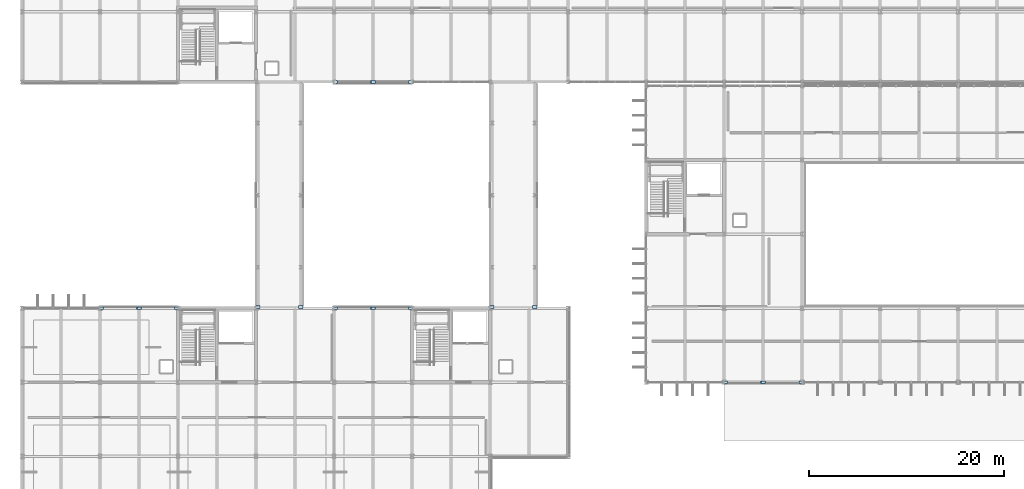
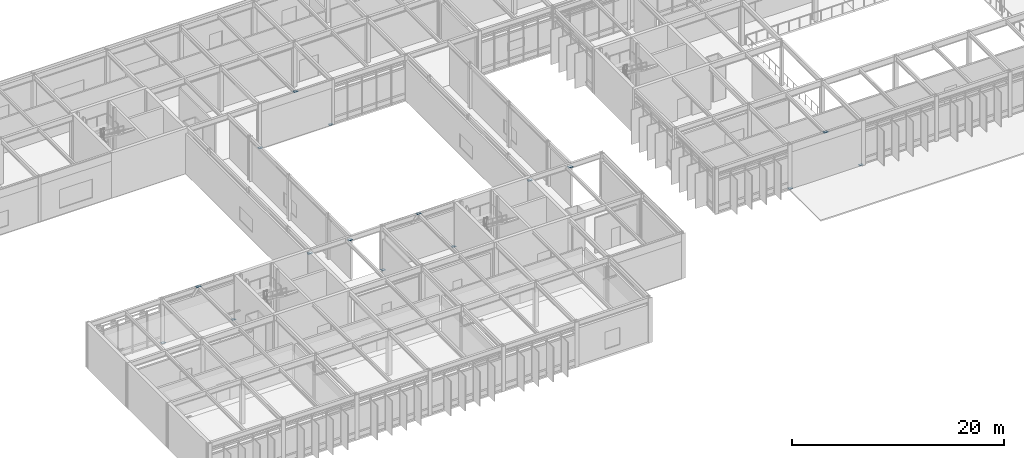
# One storey, part 68 of 94: 20 plates.
"""IFC4 building model written with IfcOpenShell, lengths in metres."""

import ifcopenshell
import ifcopenshell.guid

model = None  # the IFC model being written
_history = None  # IfcOwnerHistory: only IFC2X3 demands one
_inside = {}  # id of a spatial element -> (the spatial element, [elements in it])
_under = {}  # id of a project, library or spatial element -> (it, [spatial elements below it])
_declared = {}  # id of a project -> (the project, [libraries it declares])
_typed = {}  # id of a type object -> (the type object, [elements of that type])
_made_of = {}  # id of a material, layer set ... -> (it, [elements and type objects made of it])


def new_model(schema):
    """Start an empty IFC model of exactly this schema.

    Asked for "IFC4X3", IfcOpenShell would pick the latest addendum, in which some entities
    have other attributes; the version numbers below select the first issue.
    IFC2X3 requires an IfcOwnerHistory on every rooted entity: one is made here for all.
    """
    global model, _history
    if schema == "IFC4X3":
        model = ifcopenshell.file(schema_version=(4, 3, 0, 0))
    else:
        model = ifcopenshell.file(schema=schema)
    _inside.clear()
    _under.clear()
    _declared.clear()
    _typed.clear()
    _made_of.clear()
    _history = None
    if model.schema == "IFC2X3":
        org = make("IfcOrganization", Name="unknown")
        user = make(
            "IfcPersonAndOrganization",
            ThePerson=make("IfcPerson", FamilyName="unknown"),
            TheOrganization=org,
        )
        app = make(
            "IfcApplication",
            ApplicationDeveloper=org,
            Version="unknown",
            ApplicationFullName="unknown",
            ApplicationIdentifier="unknown",
        )
        _history = make(
            "IfcOwnerHistory",
            OwningUser=user,
            OwningApplication=app,
            ChangeAction="ADDED",
            CreationDate=0,
        )
    return model


def make(cls, **values):
    """One entity of the class cls with the attributes given. An attribute that is None is left unset."""
    return model.create_entity(
        cls, **{name: value for name, value in values.items() if value is not None}
    )


def rooted(cls, **values):
    """An entity with a GlobalId (a new one), such as an element, a storey or a relation."""
    return make(cls, GlobalId=ifcopenshell.guid.new(), OwnerHistory=_history, **values)


def si_unit(unit_type, name, prefix=None):
    """IfcSIUnit, for example si_unit("LENGTHUNIT", "METRE", prefix="MILLI")."""
    return make("IfcSIUnit", UnitType=unit_type, Prefix=prefix, Name=name)


def assignment(units):
    """IfcUnitAssignment: the units of a project."""
    return None if units is None else make("IfcUnitAssignment", Units=units)


def point(xyz):
    """IfcCartesianPoint."""
    return None if xyz is None else make("IfcCartesianPoint", Coordinates=xyz)


def direction(xyz):
    """IfcDirection."""
    return None if xyz is None else make("IfcDirection", DirectionRatios=xyz)


def frame(location, z_axis=None, x_axis=None):
    """IfcAxis2Placement3D, a coordinate frame: its origin and axes. An axis left out is left unset."""
    return make(
        "IfcAxis2Placement3D",
        Location=point(location),
        Axis=direction(z_axis),
        RefDirection=direction(x_axis),
    )


def frame_2d(location, x_axis=None):
    """IfcAxis2Placement2D, a coordinate frame in the plane: its origin and x axis."""
    return make(
        "IfcAxis2Placement2D", Location=point(location), RefDirection=direction(x_axis)
    )


def origin():
    """The frame at (0, 0, 0) with its axes left unset."""
    return frame((0.0, 0.0, 0.0))


def origin_2d():
    """The frame at (0, 0) in the plane with its x axis left unset."""
    return frame_2d((0.0, 0.0))


def place(relative_to, where):
    """IfcLocalPlacement: puts the frame where relative to a parent placement (None: the world)."""
    return make(
        "IfcLocalPlacement", PlacementRelTo=relative_to, RelativePlacement=where
    )


def context(
    kind, dimensions, precision=None, world=None, true_north=None, identifier=None
):
    """IfcGeometricRepresentationContext, for example the 3D "Model" context."""
    return make(
        "IfcGeometricRepresentationContext",
        ContextIdentifier=identifier,
        ContextType=kind,
        CoordinateSpaceDimension=dimensions,
        Precision=precision,
        WorldCoordinateSystem=world,
        TrueNorth=true_north,
    )


def subcontext(parent, identifier, kind, view, scale=None):
    """IfcGeometricRepresentationSubContext, for example "Body" below "Model"."""
    return make(
        "IfcGeometricRepresentationSubContext",
        ContextIdentifier=identifier,
        ContextType=kind,
        ParentContext=parent,
        TargetScale=scale,
        TargetView=view,
    )


def project(units=None, contexts=None):
    """IfcProject with its units and contexts."""
    return rooted(
        "IfcProject",
        Name="project",
        RepresentationContexts=contexts,
        UnitsInContext=assignment(units),
    )


def spatial(cls, under=None, at=None, **own):
    """A site, building, storey or space (cls), placed at a placement, below another one or the project."""
    s = rooted(cls, ObjectPlacement=at, **own)
    if under is not None:
        _under.setdefault(under.id(), (under, []))[1].append(s)
    return s


def profile(cls, at=None, kind="AREA", **sizes):
    """A parametric profile (cls). Its sizes go by their IFC names, for example OverallWidth=200.0."""
    return make(cls, ProfileType=kind, Position=at, **sizes)


def rectangle(**sizes):
    """IfcRectangleProfileDef."""
    return profile("IfcRectangleProfileDef", **sizes)


def extrude(swept, where, along, depth):
    """IfcExtrudedAreaSolid: the profile swept, set in the frame where, extruded along a direction by depth."""
    return make(
        "IfcExtrudedAreaSolid",
        SweptArea=swept,
        Position=where,
        ExtrudedDirection=direction(along),
        Depth=depth,
    )


def shape(context_of_items, identifier, shape_type, items):
    """IfcShapeRepresentation: the items that make up one representation, for example the "Body"."""
    return make(
        "IfcShapeRepresentation",
        ContextOfItems=context_of_items,
        RepresentationIdentifier=identifier,
        RepresentationType=shape_type,
        Items=items,
    )


def material(Name=None, Category=None):
    """IfcMaterial."""
    return make("IfcMaterial", Name=Name, Category=Category)


def layer(
    of_material, thickness, ventilated=None, Name=None, Category=None, Priority=None
):
    """IfcMaterialLayer: one layer of a wall or slab, of a material (None: an air gap)."""
    return make(
        "IfcMaterialLayer",
        Material=of_material,
        LayerThickness=thickness,
        IsVentilated=ventilated,
        Name=Name,
        Category=Category,
        Priority=Priority,
    )


def layer_set(layers, Name=None):
    """IfcMaterialLayerSet."""
    return make("IfcMaterialLayerSet", MaterialLayers=layers, LayerSetName=Name)


def made_of(thing, what):
    """Note that an element or type object is made of a material, layer set ...; save() writes the relation."""
    if what is not None:
        _made_of.setdefault(what.id(), (what, []))[1].append(thing)
    return thing


def type_object(cls, material=None, **own):
    """A type object (cls), such as IfcWallType, which elements share."""
    return made_of(rooted(cls, **own), material)


def element(
    cls,
    number,
    at=None,
    inside=None,
    cuts=None,
    type_object=None,
    material=None,
    context=None,
    identifier="Body",
    shape_type=None,
    held_by="IfcProductDefinitionShape",
    body=None,
    shapes=None,
    **own,
):
    """One element of the class cls, such as IfcWall. Its Tag is "e" and its number.

    at: its placement. inside: the storey or other place that contains it. cuts: it is an
    opening in that element (IfcRelVoidsElement). A single representation is given by context,
    identifier, shape_type and body (its items); several are given by shapes. held_by: the class
    of the entity that holds the representations. save() writes the other relations.
    """
    e = rooted(cls, Tag="e%d" % number, ObjectPlacement=at, **own)
    if body is not None:
        shapes = [shape(context, identifier, shape_type, body)]
    if shapes is not None:
        e.Representation = make(held_by, Representations=shapes)
    if inside is not None:
        _inside.setdefault(inside.id(), (inside, []))[1].append(e)
    if cuts is not None:
        rooted(
            "IfcRelVoidsElement", RelatingBuildingElement=cuts, RelatedOpeningElement=e
        )
    if type_object is not None:
        _typed.setdefault(type_object.id(), (type_object, []))[1].append(e)
    return made_of(e, material)


def aggregate(whole, parts):
    """IfcRelAggregates: a whole, such as a stair, and the parts it consists of."""
    return rooted("IfcRelAggregates", RelatingObject=whole, RelatedObjects=parts)


def save(model, path):
    """Write the relations noted so far, then the file.

    IfcRelAggregates (storeys below a building ...), IfcRelContainedInSpatialStructure (elements
    in a storey), IfcRelDefinesByType, IfcRelAssociatesMaterial and IfcRelDeclares: one each for
    every whole, place, type object, material and project.
    """
    for whole, parts in _under.values():
        aggregate(whole, parts)
    for where, things in _inside.values():
        rooted(
            "IfcRelContainedInSpatialStructure",
            RelatedElements=things,
            RelatingStructure=where,
        )
    for kind, things in _typed.values():
        rooted("IfcRelDefinesByType", RelatedObjects=things, RelatingType=kind)
    for what, things in _made_of.values():
        rooted("IfcRelAssociatesMaterial", RelatedObjects=things, RelatingMaterial=what)
    for by, libraries in _declared.values():
        rooted("IfcRelDeclares", RelatingContext=by, RelatedDefinitions=libraries)
    model.write(path)


model = new_model("IFC4")

# Units and contexts
model_context = context("Model", 3, precision=1e-05, world=origin(), true_north=direction((0.0, 1.0)))
body_context = subcontext(model_context, "Body", "Model", "MODEL_VIEW")
ifc_project = project(units=[si_unit("LENGTHUNIT", "METRE"), si_unit("AREAUNIT", "SQUARE_METRE"), si_unit("VOLUMEUNIT", "CUBIC_METRE"), si_unit("PLANEANGLEUNIT", "RADIAN"), si_unit("MASSUNIT", "GRAM", prefix="KILO")], contexts=[model_context])

# Site, building, storey
site_placement = place(None, origin())
site = spatial("IfcSite", under=ifc_project, at=site_placement, CompositionType="ELEMENT")
building_placement = place(site_placement, origin())
building = spatial("IfcBuilding", under=site, at=building_placement, Name="Zulena Civic Courthouse", CompositionType="ELEMENT")
storey_placement = place(building_placement, frame((0.0, 0.0, 5.39990234375)))
storey = spatial("IfcBuildingStorey", under=building, at=storey_placement, Name="L01", CompositionType="ELEMENT", Elevation=5.39990234375)

# Plates
ifc_material = material(Name="Steel ASTM A572 Grade 50", Category="steel")
ifc_layer_1 = layer(ifc_material, 0.028076171875)
ifc_layer_set_1 = layer_set([ifc_layer_1], Name="Steel ASTM A572 Grade 50")
plate_type_1 = type_object("IfcPlateType", Name="BearingPlate_450x320x28", PredefinedType="SHEET", material=ifc_layer_set_1)
for number, where, z_axis, x_axis, name in (
    (1, (28.199951171875, 22.919921875, 4.64013671875), (0.0, 0.0, 1.0), (1.0, 0.0, 0.0), "plate:ptfe:BR-52J:L02:28.20"),
    (2, (32.60009765625, 22.919921875, 4.64013671875), (0.0, 0.0, 1.0), (1.0, 0.0, 0.0), "plate:ptfe:BR-52J:L02:32.60"),
    (3, (52.199951171875, 22.919921875, 4.64013671875), (0.0, 0.0, 1.0), (1.0, 0.0, 0.0), "plate:ptfe:BR-52C:L02:52.20"),
    (4, (56.60009765625, 22.919921875, 4.64013671875), (0.0, 0.0, 1.0), (1.0, 0.0, 0.0), "plate:ptfe:BR-52C:L02:56.60"),
):
    element("IfcPlate", number, at=place(storey_placement, frame(where, z_axis=z_axis, x_axis=x_axis)), inside=storey, type_object=plate_type_1, Name=name, PredefinedType="SHEET", context=body_context, shape_type="SweptSolid", body=[
        extrude(rectangle(XDim=0.449951171875, YDim=0.320068359375, at=origin_2d()), origin(), (0.0, 0.0, 1.0), 0.028076171875),
    ])
ifc_layer_2 = layer(ifc_material, 0.02197265625)
ifc_layer_set_2 = layer_set([ifc_layer_2], Name="Steel ASTM A572 Grade 50")
plate_type_2 = type_object("IfcPlateType", Name="GussetPlate_380x280x22", PredefinedType="SHEET", material=ifc_layer_set_2)
for number, where, z_axis, x_axis, name in (
    (5, (12.14990234375, 22.800048828125, -0.0009765625), (0.0, 0.0, 1.0), (1.0, 0.0, 0.0), "plate:br:V2:L01:0:0:0"),
    (6, (15.949951171875, 22.800048828125, 5.149169921875), (0.0, 0.0, 1.0), (1.0, 0.0, 0.0), "plate:br:V2:L01:0:0:1"),
    (7, (19.85009765625, 22.800048828125, -0.0009765625), (0.0, 0.0, 1.0), (1.0, 0.0, 0.0), "plate:br:V2:L01:0:1:0"),
    (8, (16.050048828125, 22.800048828125, 5.149169921875), (0.0, 0.0, 1.0), (1.0, 0.0, 0.0), "plate:br:V2:L01:0:1:1"),
    (9, (36.14990234375, 22.800048828125, -0.0009765625), (0.0, 0.0, 1.0), (1.0, 0.0, 0.0), "plate:br:V2:L01:1:0:0"),
    (10, (39.949951171875, 22.800048828125, 5.149169921875), (0.0, 0.0, 1.0), (1.0, 0.0, 0.0), "plate:br:V2:L01:1:0:1"),
    (11, (43.85009765625, 22.800048828125, -0.0009765625), (0.0, 0.0, 1.0), (1.0, 0.0, 0.0), "plate:br:V2:L01:1:1:0"),
    (12, (40.050048828125, 22.800048828125, 5.149169921875), (0.0, 0.0, 1.0), (1.0, 0.0, 0.0), "plate:br:V2:L01:1:1:1"),
    (13, (76.14990234375, 15.199951171875, -0.0009765625), (0.0, 0.0, 1.0), (1.0, 0.0, 0.0), "plate:br:V4:L01:4:0:0"),
    (14, (79.949951171875, 15.199951171875, 5.149169921875), (0.0, 0.0, 1.0), (1.0, 0.0, 0.0), "plate:br:V4:L01:4:0:1"),
    (15, (83.85009765625, 15.199951171875, -0.0009765625), (0.0, 0.0, 1.0), (1.0, 0.0, 0.0), "plate:br:V4:L01:4:1:0"),
    (16, (80.050048828125, 15.199951171875, 5.149169921875), (0.0, 0.0, 1.0), (1.0, 0.0, 0.0), "plate:br:V4:L01:4:1:1"),
    (17, (36.14990234375, 46.0, -0.0009765625), (0.0, 0.0, 1.0), (1.0, 0.0, 0.0), "plate:br:V5:L01:5:0:0"),
    (18, (39.949951171875, 46.0, 5.149169921875), (0.0, 0.0, 1.0), (1.0, 0.0, 0.0), "plate:br:V5:L01:5:0:1"),
    (19, (43.85009765625, 46.0, -0.0009765625), (0.0, 0.0, 1.0), (1.0, 0.0, 0.0), "plate:br:V5:L01:5:1:0"),
    (20, (40.050048828125, 46.0, 5.149169921875), (0.0, 0.0, 1.0), (1.0, 0.0, 0.0), "plate:br:V5:L01:5:1:1"),
):
    element("IfcPlate", number, at=place(storey_placement, frame(where, z_axis=z_axis, x_axis=x_axis)), inside=storey, type_object=plate_type_2, Name=name, PredefinedType="SHEET", context=body_context, shape_type="SweptSolid", body=[
        extrude(rectangle(XDim=0.3798828125, YDim=0.280029296875, at=origin_2d()), origin(), (0.0, 0.0, 1.0), 0.02197265625),
    ])

save(model, "model.ifc")
